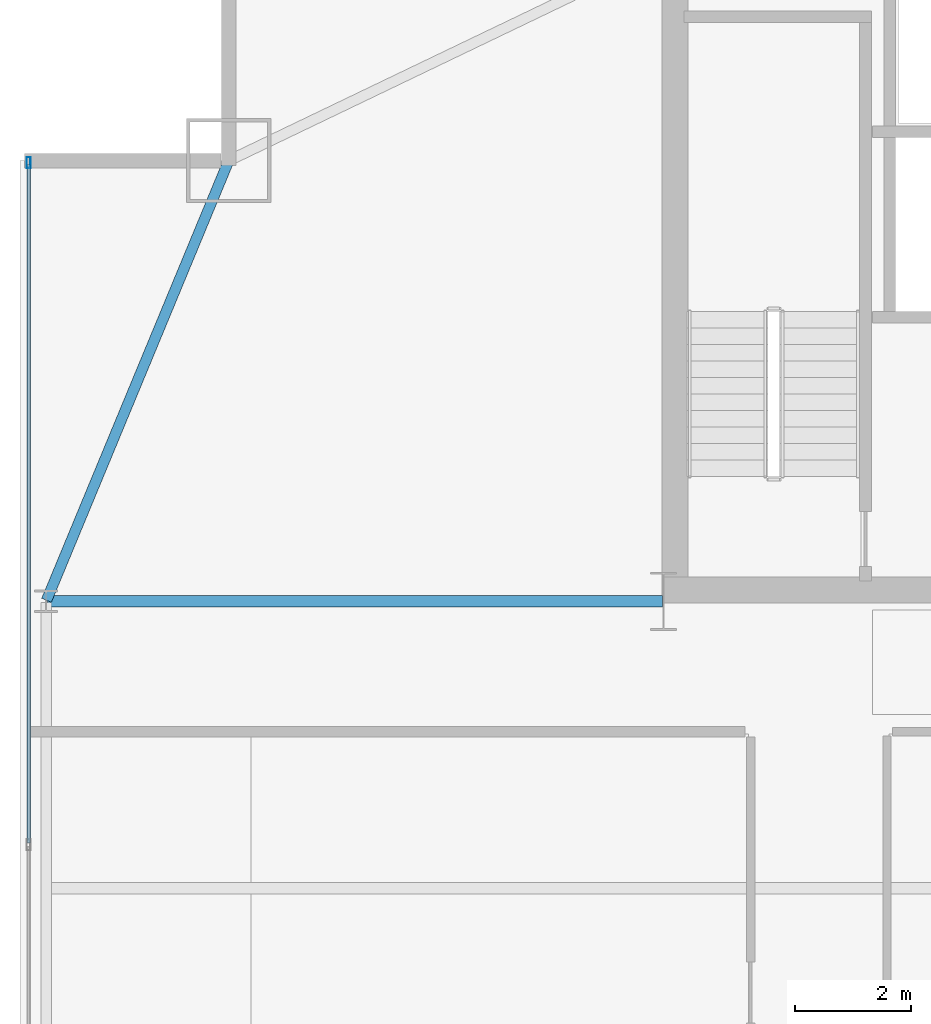
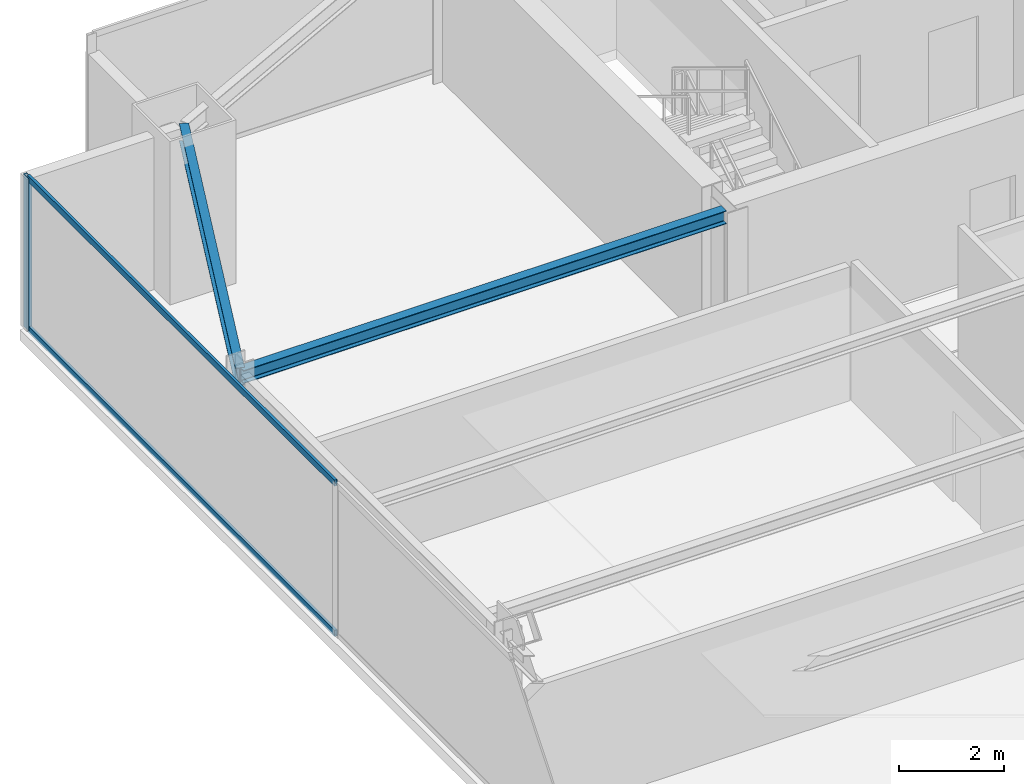
# One storey, part 21 of 37: 3 members, 2 beams, 1 element without a shape of its own.
"""IFC4 building model written with IfcOpenShell, lengths in metres."""

from ifc_helpers import new_model, si_unit, direction, frame, origin, origin_2d, place, context, subcontext, project, spatial, hollow_rectangle, i_section, extrude, source, transform, mapped, material, layer, layer_set, material_profile, profile_set, type_object, type_shapes, element, aggregate, save


model = new_model("IFC4")

# Units and contexts
model_context = context("Model", 3, precision=1e-05, world=origin(), true_north=direction((0.0, 1.0)))
body_context = subcontext(model_context, "Body", "Model", "MODEL_VIEW")
ifc_project = project(units=[si_unit("LENGTHUNIT", "METRE"), si_unit("AREAUNIT", "SQUARE_METRE"), si_unit("VOLUMEUNIT", "CUBIC_METRE"), si_unit("PLANEANGLEUNIT", "RADIAN"), si_unit("MASSUNIT", "GRAM", prefix="KILO")], contexts=[model_context])

# Site, building, storey
site_placement = place(None, origin())
site = spatial("IfcSite", under=ifc_project, at=site_placement, CompositionType="ELEMENT")
building_placement = place(site_placement, origin())
building = spatial("IfcBuilding", under=site, at=building_placement, Name="Varnel Quay Broadcast Tower", CompositionType="ELEMENT")
storey_placement = place(building_placement, frame((0.0, 0.0, 106.800048828125)))
storey = spatial("IfcBuildingStorey", under=building, at=storey_placement, Name="L25", CompositionType="ELEMENT", Elevation=106.800048828125)

# Beams
ifc_material_1 = material(Name="Structural Steel CSA G40.21 350W", Category="steel")
ifc_material_profile_1 = material_profile(ifc_material_1, i_section(OverallWidth=0.180908203125, OverallDepth=0.4169921875, WebThickness=0.010986328125, FlangeThickness=0.018310546875, FilletRadius=0.011962890625, at=origin_2d()), Name="W410X85")
ifc_profile_set_1 = profile_set([ifc_material_profile_1], Name="Structural Steel CSA G40.21 350W")
beam_type_1 = type_object("IfcBeamType", Name="Beam_W410X85", PredefinedType="SPANDREL", material=ifc_profile_set_1)
shared_shape_1 = source(origin(), body_context, "Body", "SweptSolid", [
    extrude(i_section(OverallWidth=0.180908203125, OverallDepth=0.4169921875, WebThickness=0.010986328125, FlangeThickness=0.018310546875, FilletRadius=0.011962890625, at=origin_2d()), origin(), (0.0, 0.0, 1.0), 8.186767578125),
])
type_shapes(beam_type_1, [shared_shape_1])
beam_1_placement = place(storey_placement, frame((4.957763671875, 35.618408203125, 3.341552734375), z_axis=(0.382874132092, 0.923800519038, 0.0), x_axis=(-0.923800519038, 0.382874132092, 0.0)))
element("IfcBeam", 1, at=beam_1_placement, inside=storey, type_object=beam_type_1, Name="L25 West Spandrel TC-W3-MC-NW", PredefinedType="SPANDREL", context=body_context, shape_type="MappedRepresentation", body=[
    mapped(shared_shape_1, transform((0.0, 0.0, 0.0), x_axis=(1.0, 0.0, 0.0), y_axis=(0.0, 1.0, 0.0), z_axis=(0.0, 0.0, 1.0), scale=1.0)),
])
ifc_material_profile_2 = material_profile(ifc_material_1, i_section(OverallWidth=0.202880859375, OverallDepth=0.302978515625, WebThickness=0.007568359375, FlangeThickness=0.01318359375, FilletRadius=0.011962890625, at=origin_2d()), Name="W310X60")
ifc_profile_set_2 = profile_set([ifc_material_profile_2], Name="Structural Steel CSA G40.21 350W")
beam_type_2 = type_object("IfcBeamType", Name="Beam_W310X60", PredefinedType="JOIST", material=ifc_profile_set_2)
shared_shape_2 = source(origin(), body_context, "Body", "SweptSolid", [
    extrude(i_section(OverallWidth=0.202880859375, OverallDepth=0.302978515625, WebThickness=0.007568359375, FlangeThickness=0.01318359375, FilletRadius=0.011962890625, at=origin_2d()), origin(), (0.0, 0.0, 1.0), 10.610107421875),
])
type_shapes(beam_type_2, [shared_shape_2])
beam_2_placement = place(storey_placement, frame((4.969970703125, 35.60009765625, 3.3984375), z_axis=(1.0, 0.0, 0.0), x_axis=(0.0, 1.0, 0.0)))
element("IfcBeam", 2, at=beam_2_placement, inside=storey, type_object=beam_type_2, Name="L25 West Core Tie Joist", PredefinedType="JOIST", context=body_context, shape_type="MappedRepresentation", body=[
    mapped(shared_shape_2, transform((0.0, 0.0, 0.0), x_axis=(1.0, 0.0, 0.0), y_axis=(0.0, 1.0, 0.0), z_axis=(0.0, 0.0, 1.0), scale=1.0)),
])

# Curtain wall, members
ifc_material_2 = material(Name="Anodised Bronze Aluminium 6063-T6", Category="aluminium")
ifc_layer = layer(ifc_material_2, 0.18994140625, Name="Anodised Bronze Aluminium 6063-T6")
ifc_layer_set = layer_set([ifc_layer], Name="Anodised Bronze Aluminium 6063-T6")
curtain_wall_type = type_object("IfcCurtainWallType", Name="CW_LowerTower", PredefinedType="NOTDEFINED", material=ifc_layer_set)
curtain_wall_placement = place(storey_placement, origin())
curtain_wall = element("IfcCurtainWall", 3, at=curtain_wall_placement, inside=storey, type_object=curtain_wall_type, Name="L25 West Unitised Curtain Wall", PredefinedType="NOTDEFINED")
ifc_material_profile_3 = material_profile(ifc_material_2, hollow_rectangle(XDim=0.070068359375, YDim=0.18994140625, WallThickness=0.00390625, at=origin_2d()), Name="ALU70X190X4")
ifc_profile_set_3 = profile_set([ifc_material_profile_3], Name="Anodised Bronze Aluminium 6063-T6")
member_type_1 = type_object("IfcMemberType", Name="Mull_CWS-02", PredefinedType="MULLION", material=ifc_profile_set_3)
shared_shape_3 = source(origin(), body_context, "Body", "SweptSolid", [
    extrude(hollow_rectangle(XDim=0.070068359375, YDim=0.18994140625, WallThickness=0.00390625, at=origin_2d()), origin(), (0.0, 0.0, 1.0), 3.550048828125),
])
type_shapes(member_type_1, [shared_shape_3])
member_1_placement = place(storey_placement, frame((4.64990234375, 43.1650390625, 0.0), z_axis=(0.0, 0.0, 1.0), x_axis=(-1.0, 0.0, 0.0)))
member_1 = element("IfcMember", 4, at=member_1_placement, type_object=member_type_1, Name="CWS-02 mullion 4", PredefinedType="MULLION", context=body_context, shape_type="MappedRepresentation", body=[
    mapped(shared_shape_3, transform((0.0, 0.0, 0.0), x_axis=(1.0, 0.0, 0.0), y_axis=(0.0, 1.0, 0.0), z_axis=(0.0, 0.0, 1.0), scale=1.0)),
])
ifc_material_profile_4 = material_profile(ifc_material_2, hollow_rectangle(XDim=0.06005859375, YDim=0.14501953125, WallThickness=0.00341796875, at=origin_2d()), Name="ALU60X145X3.5")
ifc_profile_set_4 = profile_set([ifc_material_profile_4], Name="Anodised Bronze Aluminium 6063-T6")
member_type_2 = type_object("IfcMemberType", Name="Tran_CWS-02", PredefinedType="USERDEFINED", material=ifc_profile_set_4)
shared_shape_4 = source(origin(), body_context, "Body", "SweptSolid", [
    extrude(hollow_rectangle(XDim=0.06005859375, YDim=0.14501953125, WallThickness=0.00341796875, at=origin_2d()), origin(), (0.0, 0.0, 1.0), 11.69482421875),
])
type_shapes(member_type_2, [shared_shape_4])
member_2_placement = place(storey_placement, frame((4.64990234375, 31.43505859375, 0.030029296875), z_axis=(0.0, 1.0, 0.0), x_axis=(-1.0, 0.0, 0.0)))
member_2 = element("IfcMember", 5, at=member_2_placement, type_object=member_type_2, Name="CWS-02 transom 3.1", ObjectType="TRANSOM", PredefinedType="USERDEFINED", context=body_context, shape_type="MappedRepresentation", body=[
    mapped(shared_shape_4, transform((0.0, 0.0, 0.0), x_axis=(1.0, 0.0, 0.0), y_axis=(0.0, 1.0, 0.0), z_axis=(0.0, 0.0, 1.0), scale=1.0)),
])
member_3_placement = place(storey_placement, frame((4.64990234375, 31.43505859375, 3.52001953125), z_axis=(0.0, 1.0, 0.0), x_axis=(-1.0, 0.0, 0.0)))
member_3 = element("IfcMember", 6, at=member_3_placement, type_object=member_type_2, Name="CWS-02 transom 3.2", ObjectType="TRANSOM", PredefinedType="USERDEFINED", context=body_context, shape_type="MappedRepresentation", body=[
    mapped(shared_shape_4, transform((0.0, 0.0, 0.0), x_axis=(1.0, 0.0, 0.0), y_axis=(0.0, 1.0, 0.0), z_axis=(0.0, 0.0, 1.0), scale=1.0)),
])
aggregate(curtain_wall, [member_1, member_2, member_3])

save(model, "model.ifc")
